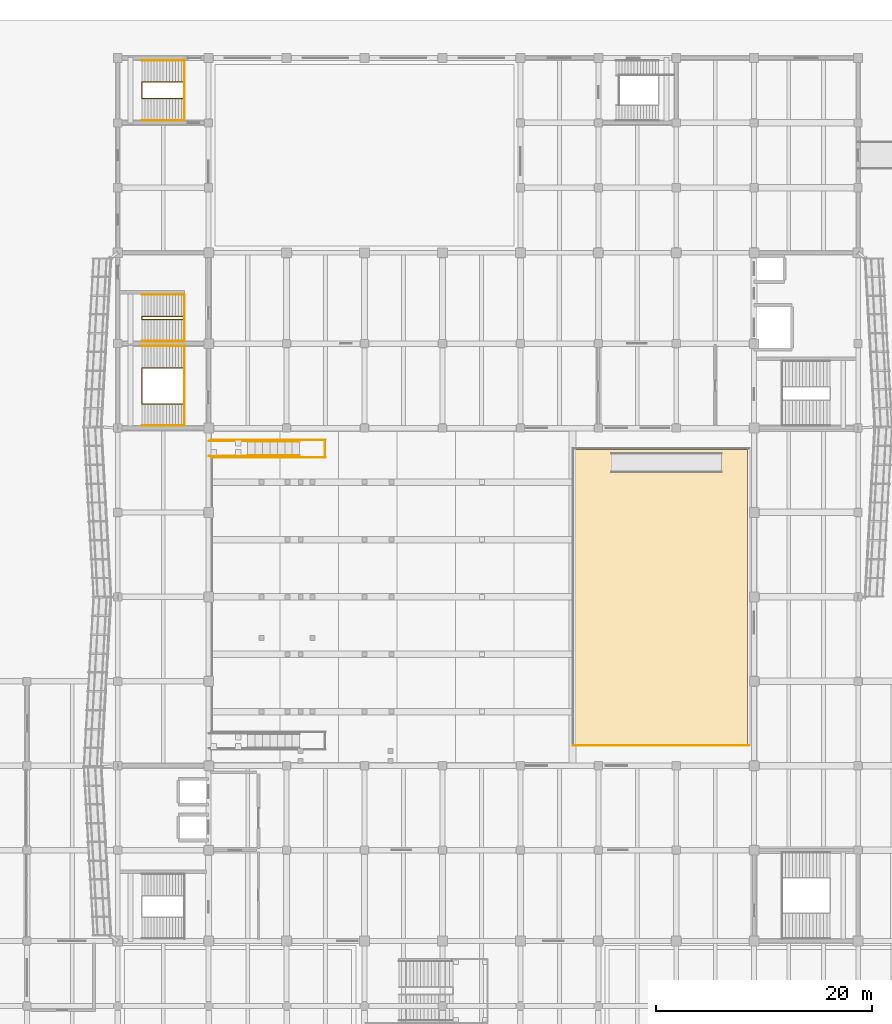
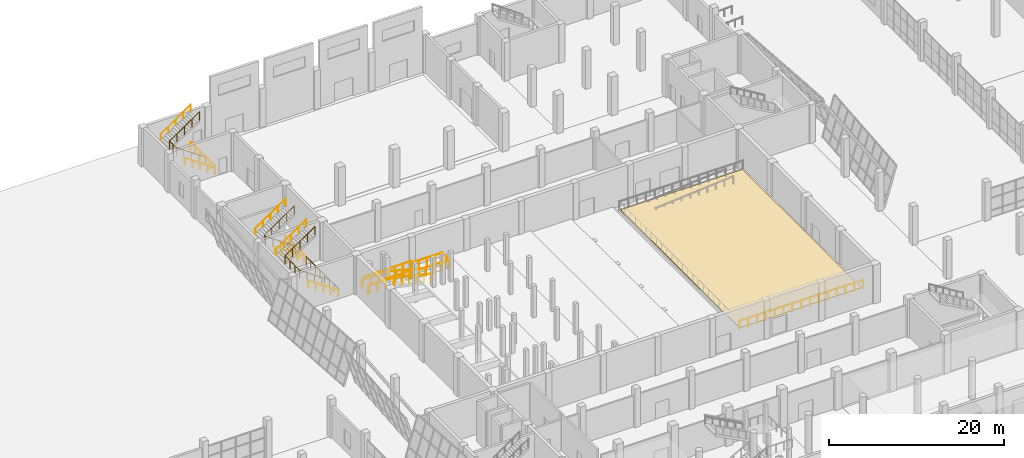
# One storey, part 75 of 78: 20 railings, 1 covering.
"""IFC4 building model written with IfcOpenShell, lengths in metres."""

from ifc_helpers import new_model, si_unit, direction, frame, origin, origin_2d, place, context, subcontext, project, spatial, polyline, circle, outline, extrude, material, layer, layer_set, type_object, element, save


model = new_model("IFC4")

# Units and contexts
model_context = context("Model", 3, precision=1e-05, world=origin(), true_north=direction((0.0, 1.0)))
body_context = subcontext(model_context, "Body", "Model", "MODEL_VIEW")
ifc_project = project(units=[si_unit("LENGTHUNIT", "METRE"), si_unit("AREAUNIT", "SQUARE_METRE"), si_unit("VOLUMEUNIT", "CUBIC_METRE"), si_unit("PLANEANGLEUNIT", "RADIAN"), si_unit("MASSUNIT", "GRAM", prefix="KILO")], contexts=[model_context])

# Site, building, storey
site_placement = place(None, origin())
site = spatial("IfcSite", under=ifc_project, at=site_placement, CompositionType="ELEMENT")
building_placement = place(site_placement, origin())
building = spatial("IfcBuilding", under=site, at=building_placement, Name="Pellamere Symphony Hall", CompositionType="ELEMENT")
storey_placement = place(building_placement, origin())
storey = spatial("IfcBuildingStorey", under=building, at=storey_placement, Name="L00", CompositionType="ELEMENT", Elevation=0.0)

# Railings
ifc_material_1 = material(Name="Architectural Bronze-Anodised Aluminium Balustrade", Category="aluminium")
railing_type_1 = type_object("IfcRailingType", Name="Balustrade BL-02 H1150 Architectural", PredefinedType="BALUSTRADE", material=ifc_material_1)
railing_1_placement = place(storey_placement, frame((92.449951171875, 48.080078125, 0.85009765625)))
element("IfcRailing", 1, at=railing_1_placement, inside=storey, type_object=railing_type_1, Name="Stage Platform S Edge Balustrade", PredefinedType="BALUSTRADE", context=body_context, shape_type="SweptSolid", body=[
    extrude(circle(Radius=0.02392578125, at=origin_2d()), frame((0.0, 0.0, 1.1259765625), z_axis=(1.0, 0.0, 0.0), x_axis=(0.0, 1.0, 0.0)), (0.0, 0.0, 1.0), 16.300048828125),
    extrude(circle(Radius=0.02099609375, at=origin_2d()), origin(), (0.0, 0.0, 1.0), 1.101806640625),
    extrude(circle(Radius=0.02099609375, at=origin_2d()), frame((1.164306640625, 0.0, 0.0)), (0.0, 0.0, 1.0), 1.101806640625),
    extrude(circle(Radius=0.02099609375, at=origin_2d()), frame((2.32861328125, 0.0, 0.0)), (0.0, 0.0, 1.0), 1.101806640625),
    extrude(circle(Radius=0.02099609375, at=origin_2d()), frame((3.492919921875, 0.0, 0.0)), (0.0, 0.0, 1.0), 1.101806640625),
    extrude(circle(Radius=0.02099609375, at=origin_2d()), frame((4.6572265625, 0.0, 0.0)), (0.0, 0.0, 1.0), 1.101806640625),
    extrude(circle(Radius=0.02099609375, at=origin_2d()), frame((5.821533203125, 0.0, 0.0)), (0.0, 0.0, 1.0), 1.101806640625),
    extrude(circle(Radius=0.02099609375, at=origin_2d()), frame((6.98583984375, 0.0, 0.0)), (0.0, 0.0, 1.0), 1.101806640625),
    extrude(circle(Radius=0.02099609375, at=origin_2d()), frame((8.14990234375, 0.0, 0.0)), (0.0, 0.0, 1.0), 1.101806640625),
    extrude(circle(Radius=0.02099609375, at=origin_2d()), frame((9.314208984375, 0.0, 0.0)), (0.0, 0.0, 1.0), 1.101806640625),
    extrude(circle(Radius=0.02099609375, at=origin_2d()), frame((10.478515625, 0.0, 0.0)), (0.0, 0.0, 1.0), 1.101806640625),
    extrude(circle(Radius=0.02099609375, at=origin_2d()), frame((11.642822265625, 0.0, 0.0)), (0.0, 0.0, 1.0), 1.101806640625),
    extrude(circle(Radius=0.02099609375, at=origin_2d()), frame((12.80712890625, 0.0, 0.0)), (0.0, 0.0, 1.0), 1.101806640625),
    extrude(circle(Radius=0.02099609375, at=origin_2d()), frame((13.971435546875, 0.0, 0.0)), (0.0, 0.0, 1.0), 1.101806640625),
    extrude(circle(Radius=0.02099609375, at=origin_2d()), frame((15.1357421875, 0.0, 0.0)), (0.0, 0.0, 1.0), 1.101806640625),
    extrude(circle(Radius=0.02099609375, at=origin_2d()), frame((16.300048828125, 0.0, 0.0)), (0.0, 0.0, 1.0), 1.101806640625),
])
ifc_material_2 = material(Name="Painted Steel CSA G40.21 350W", Category="steel")
railing_type_2 = type_object("IfcRailingType", Name="Guardrail GR-02 H1150 Painted", PredefinedType="GUARDRAIL", material=ifc_material_2)
railing_2_placement = place(storey_placement, frame((56.574951171875, 79.639892578125, 0.0)))
element("IfcRailing", 2, at=railing_2_placement, inside=storey, type_object=railing_type_2, Name="Stair ST07-L00 Continuous Well Guardrail (L00)", PredefinedType="GUARDRAIL", context=body_context, shape_type="SweptSolid", body=[
    extrude(circle(Radius=0.02392578125, at=origin_2d()), frame((0.0, 0.0, 1.1259765625), z_axis=(-0.825565005729, 0.0, 0.564307027527), x_axis=(0.0, -1.0, 0.0)), (0.0, 0.0, 1.0), 4.784423828125),
    extrude(circle(Radius=0.02392578125, at=origin_2d()), frame((-3.949951171875, 0.0, 3.82568359375), z_axis=(0.0, 1.0, 0.0), x_axis=(-1.0, 0.0, 0.0)), (0.0, 0.0, 1.0), 3.320068359375),
    extrude(circle(Radius=0.02392578125, at=origin_2d()), frame((-3.949951171875, 3.320068359375, 3.82568359375), z_axis=(0.825565005729, 0.0, 0.564307027527), x_axis=(0.0, 1.0, 0.0)), (0.0, 0.0, 1.0), 4.784423828125),
    extrude(circle(Radius=0.02099609375, at=origin_2d()), origin(), (0.0, 0.0, 1.0), 1.101806640625),
    extrude(circle(Radius=0.02099609375, at=origin_2d()), frame((-0.987548828125, 0.0, 0.675048828125)), (0.0, 0.0, 1.0), 1.101806640625),
    extrude(circle(Radius=0.02099609375, at=origin_2d()), frame((-1.97509765625, 0.0, 1.35009765625)), (0.0, 0.0, 1.0), 1.101806640625),
    extrude(circle(Radius=0.02099609375, at=origin_2d()), frame((-2.96240234375, 0.0, 2.02490234375)), (0.0, 0.0, 1.0), 1.101806640625),
    extrude(circle(Radius=0.02099609375, at=origin_2d()), frame((-3.949951171875, 0.0, 2.699951171875)), (0.0, 0.0, 1.0), 1.101806640625),
    extrude(circle(Radius=0.02099609375, at=origin_2d()), frame((-3.949951171875, 1.106689453125, 2.699951171875)), (0.0, 0.0, 1.0), 1.101806640625),
    extrude(circle(Radius=0.02099609375, at=origin_2d()), frame((-3.949951171875, 2.21337890625, 2.699951171875)), (0.0, 0.0, 1.0), 1.101806640625),
    extrude(circle(Radius=0.02099609375, at=origin_2d()), frame((-3.949951171875, 3.320068359375, 2.699951171875)), (0.0, 0.0, 1.0), 1.101806640625),
    extrude(circle(Radius=0.02099609375, at=origin_2d()), frame((-2.96240234375, 3.320068359375, 3.375)), (0.0, 0.0, 1.0), 1.101806640625),
    extrude(circle(Radius=0.02099609375, at=origin_2d()), frame((-1.97509765625, 3.320068359375, 4.0498046875)), (0.0, 0.0, 1.0), 1.101806640625),
    extrude(circle(Radius=0.02099609375, at=origin_2d()), frame((-0.987548828125, 3.320068359375, 4.724853515625)), (0.0, 0.0, 1.0), 1.101806640625),
    extrude(circle(Radius=0.02099609375, at=origin_2d()), frame((0.0, 3.320068359375, 5.39990234375)), (0.0, 0.0, 1.0), 1.101806640625),
])
railing_3_placement = place(storey_placement, frame((56.574951171875, 77.610107421875, 0.0)))
element("IfcRailing", 3, at=railing_3_placement, inside=storey, type_object=railing_type_2, Name="Stair ST07-L00 Landing Well Slot Guard (L00)", PredefinedType="GUARDRAIL", context=body_context, shape_type="SweptSolid", body=[
    extrude(circle(Radius=0.02392578125, at=origin_2d()), frame((0.0, 0.0, 1.1259765625), z_axis=(0.0, 1.0, 0.0), x_axis=(-1.0, 0.0, 0.0)), (0.0, 0.0, 1.0), 7.3798828125),
    extrude(circle(Radius=0.02099609375, at=origin_2d()), origin(), (0.0, 0.0, 1.0), 1.101806640625),
    extrude(circle(Radius=0.02099609375, at=origin_2d()), frame((0.0, 1.05419921875, 0.0)), (0.0, 0.0, 1.0), 1.101806640625),
    extrude(circle(Radius=0.02099609375, at=origin_2d()), frame((0.0, 2.108642578125, 0.0)), (0.0, 0.0, 1.0), 1.101806640625),
    extrude(circle(Radius=0.02099609375, at=origin_2d()), frame((0.0, 3.162841796875, 0.0)), (0.0, 0.0, 1.0), 1.101806640625),
    extrude(circle(Radius=0.02099609375, at=origin_2d()), frame((0.0, 4.217041015625, 0.0)), (0.0, 0.0, 1.0), 1.101806640625),
    extrude(circle(Radius=0.02099609375, at=origin_2d()), frame((0.0, 5.271240234375, 0.0)), (0.0, 0.0, 1.0), 1.101806640625),
    extrude(circle(Radius=0.02099609375, at=origin_2d()), frame((0.0, 6.32568359375, 0.0)), (0.0, 0.0, 1.0), 1.101806640625),
    extrude(circle(Radius=0.02099609375, at=origin_2d()), frame((0.0, 7.3798828125, 0.0)), (0.0, 0.0, 1.0), 1.101806640625),
])
railing_4_placement = place(storey_placement, frame((56.574951171875, 107.840087890625, 0.0)))
element("IfcRailing", 4, at=railing_4_placement, inside=storey, type_object=railing_type_2, Name="Stair ST10-L00 Continuous Well Guardrail (L00)", PredefinedType="GUARDRAIL", context=body_context, shape_type="SweptSolid", body=[
    extrude(circle(Radius=0.02392578125, at=origin_2d()), frame((0.0, 0.0, 1.1259765625), z_axis=(-0.825565005729, 0.0, 0.564307027527), x_axis=(0.0, -1.0, 0.0)), (0.0, 0.0, 1.0), 4.784423828125),
    extrude(circle(Radius=0.02392578125, at=origin_2d()), frame((-3.949951171875, 0.0, 3.82568359375), z_axis=(0.0, 1.0, 0.0), x_axis=(-1.0, 0.0, 0.0)), (0.0, 0.0, 1.0), 1.52001953125),
    extrude(circle(Radius=0.02392578125, at=origin_2d()), frame((-3.949951171875, 1.52001953125, 3.82568359375), z_axis=(0.825565005729, 0.0, 0.564307027527), x_axis=(0.0, 1.0, 0.0)), (0.0, 0.0, 1.0), 4.784423828125),
    extrude(circle(Radius=0.02099609375, at=origin_2d()), origin(), (0.0, 0.0, 1.0), 1.101806640625),
    extrude(circle(Radius=0.02099609375, at=origin_2d()), frame((-0.987548828125, 0.0, 0.675048828125)), (0.0, 0.0, 1.0), 1.101806640625),
    extrude(circle(Radius=0.02099609375, at=origin_2d()), frame((-1.97509765625, 0.0, 1.35009765625)), (0.0, 0.0, 1.0), 1.101806640625),
    extrude(circle(Radius=0.02099609375, at=origin_2d()), frame((-2.96240234375, 0.0, 2.02490234375)), (0.0, 0.0, 1.0), 1.101806640625),
    extrude(circle(Radius=0.02099609375, at=origin_2d()), frame((-3.949951171875, 0.0, 2.699951171875)), (0.0, 0.0, 1.0), 1.101806640625),
    extrude(circle(Radius=0.02099609375, at=origin_2d()), frame((-3.949951171875, 0.760009765625, 2.699951171875)), (0.0, 0.0, 1.0), 1.101806640625),
    extrude(circle(Radius=0.02099609375, at=origin_2d()), frame((-3.949951171875, 1.52001953125, 2.699951171875)), (0.0, 0.0, 1.0), 1.101806640625),
    extrude(circle(Radius=0.02099609375, at=origin_2d()), frame((-2.96240234375, 1.52001953125, 3.375)), (0.0, 0.0, 1.0), 1.101806640625),
    extrude(circle(Radius=0.02099609375, at=origin_2d()), frame((-1.97509765625, 1.52001953125, 4.0498046875)), (0.0, 0.0, 1.0), 1.101806640625),
    extrude(circle(Radius=0.02099609375, at=origin_2d()), frame((-0.987548828125, 1.52001953125, 4.724853515625)), (0.0, 0.0, 1.0), 1.101806640625),
    extrude(circle(Radius=0.02099609375, at=origin_2d()), frame((0.0, 1.52001953125, 5.39990234375)), (0.0, 0.0, 1.0), 1.101806640625),
])
railing_5_placement = place(storey_placement, frame((56.574951171875, 105.81005859375, 0.0)))
element("IfcRailing", 5, at=railing_5_placement, inside=storey, type_object=railing_type_2, Name="Stair ST10-L00 Landing Well Slot Guard (L00)", PredefinedType="GUARDRAIL", context=body_context, shape_type="SweptSolid", body=[
    extrude(circle(Radius=0.02392578125, at=origin_2d()), frame((0.0, 0.0, 1.1259765625), z_axis=(0.0, 1.0, 0.0), x_axis=(-1.0, 0.0, 0.0)), (0.0, 0.0, 1.0), 5.579833984375),
    extrude(circle(Radius=0.02099609375, at=origin_2d()), origin(), (0.0, 0.0, 1.0), 1.101806640625),
    extrude(circle(Radius=0.02099609375, at=origin_2d()), frame((0.0, 1.115966796875, 0.0)), (0.0, 0.0, 1.0), 1.101806640625),
    extrude(circle(Radius=0.02099609375, at=origin_2d()), frame((0.0, 2.23193359375, 0.0)), (0.0, 0.0, 1.0), 1.101806640625),
    extrude(circle(Radius=0.02099609375, at=origin_2d()), frame((0.0, 3.347900390625, 0.0)), (0.0, 0.0, 1.0), 1.101806640625),
    extrude(circle(Radius=0.02099609375, at=origin_2d()), frame((0.0, 4.4638671875, 0.0)), (0.0, 0.0, 1.0), 1.101806640625),
    extrude(circle(Radius=0.02099609375, at=origin_2d()), frame((0.0, 5.579833984375, 0.0)), (0.0, 0.0, 1.0), 1.101806640625),
])
railing_6_placement = place(storey_placement, frame((56.574951171875, 87.43994140625, 0.0)))
element("IfcRailing", 6, at=railing_6_placement, inside=storey, type_object=railing_type_2, Name="Stair ST13-L00 Continuous Well Guardrail (L00)", PredefinedType="GUARDRAIL", context=body_context, shape_type="SweptSolid", body=[
    extrude(circle(Radius=0.02392578125, at=origin_2d()), frame((0.0, 0.0, 1.1259765625), z_axis=(-0.825565005729, 0.0, 0.564307027527), x_axis=(0.0, -1.0, 0.0)), (0.0, 0.0, 1.0), 4.784423828125),
    extrude(circle(Radius=0.02392578125, at=origin_2d()), frame((-3.949951171875, 0.0, 3.82568359375), z_axis=(0.0, 1.0, 0.0), x_axis=(-1.0, 0.0, 0.0)), (0.0, 0.0, 1.0), 0.280029296875),
    extrude(circle(Radius=0.02392578125, at=origin_2d()), frame((-3.949951171875, 0.280029296875, 3.82568359375), z_axis=(0.825565005729, 0.0, 0.564307027527), x_axis=(0.0, 1.0, 0.0)), (0.0, 0.0, 1.0), 4.784423828125),
    extrude(circle(Radius=0.02099609375, at=origin_2d()), origin(), (0.0, 0.0, 1.0), 1.101806640625),
    extrude(circle(Radius=0.02099609375, at=origin_2d()), frame((-0.987548828125, 0.0, 0.675048828125)), (0.0, 0.0, 1.0), 1.101806640625),
    extrude(circle(Radius=0.02099609375, at=origin_2d()), frame((-1.97509765625, 0.0, 1.35009765625)), (0.0, 0.0, 1.0), 1.101806640625),
    extrude(circle(Radius=0.02099609375, at=origin_2d()), frame((-2.96240234375, 0.0, 2.02490234375)), (0.0, 0.0, 1.0), 1.101806640625),
    extrude(circle(Radius=0.02099609375, at=origin_2d()), frame((-3.949951171875, 0.0, 2.699951171875)), (0.0, 0.0, 1.0), 1.101806640625),
    extrude(circle(Radius=0.02099609375, at=origin_2d()), frame((-3.949951171875, 0.280029296875, 2.699951171875)), (0.0, 0.0, 1.0), 1.101806640625),
    extrude(circle(Radius=0.02099609375, at=origin_2d()), frame((-2.96240234375, 0.280029296875, 3.375)), (0.0, 0.0, 1.0), 1.101806640625),
    extrude(circle(Radius=0.02099609375, at=origin_2d()), frame((-1.97509765625, 0.280029296875, 4.0498046875)), (0.0, 0.0, 1.0), 1.101806640625),
    extrude(circle(Radius=0.02099609375, at=origin_2d()), frame((-0.987548828125, 0.280029296875, 4.724853515625)), (0.0, 0.0, 1.0), 1.101806640625),
    extrude(circle(Radius=0.02099609375, at=origin_2d()), frame((0.0, 0.280029296875, 5.39990234375)), (0.0, 0.0, 1.0), 1.101806640625),
])
railing_7_placement = place(storey_placement, frame((56.574951171875, 85.409912109375, 0.0)))
element("IfcRailing", 7, at=railing_7_placement, inside=storey, type_object=railing_type_2, Name="Stair ST13-L00 Landing Well Slot Guard (L00)", PredefinedType="GUARDRAIL", context=body_context, shape_type="SweptSolid", body=[
    extrude(circle(Radius=0.02392578125, at=origin_2d()), frame((0.0, 0.0, 1.1259765625), z_axis=(0.0, 1.0, 0.0), x_axis=(-1.0, 0.0, 0.0)), (0.0, 0.0, 1.0), 4.340087890625),
    extrude(circle(Radius=0.02099609375, at=origin_2d()), origin(), (0.0, 0.0, 1.0), 1.101806640625),
    extrude(circle(Radius=0.02099609375, at=origin_2d()), frame((0.0, 1.0849609375, 0.0)), (0.0, 0.0, 1.0), 1.101806640625),
    extrude(circle(Radius=0.02099609375, at=origin_2d()), frame((0.0, 2.169921875, 0.0)), (0.0, 0.0, 1.0), 1.101806640625),
    extrude(circle(Radius=0.02099609375, at=origin_2d()), frame((0.0, 3.255126953125, 0.0)), (0.0, 0.0, 1.0), 1.101806640625),
    extrude(circle(Radius=0.02099609375, at=origin_2d()), frame((0.0, 4.340087890625, 0.0)), (0.0, 0.0, 1.0), 1.101806640625),
])
railing_8_placement = place(storey_placement, frame((67.199951171875, 74.85009765625, 0.0)))
element("IfcRailing", 8, at=railing_8_placement, inside=storey, type_object=railing_type_2, Name="Vomitory VOM-02 South Guardrail", PredefinedType="GUARDRAIL", context=body_context, shape_type="SweptSolid", body=[
    extrude(circle(Radius=0.02392578125, at=origin_2d()), frame((0.0, 0.0, 1.1259765625), z_axis=(-0.967724859719, 0.0, 0.252009118649), x_axis=(0.0, -1.0, 0.0)), (0.0, 0.0, 1.0), 4.960205078125),
    extrude(circle(Radius=0.02392578125, at=origin_2d()), frame((-4.800048828125, 0.0, 2.3759765625), z_axis=(0.0, -1.0, 0.0), x_axis=(1.0, 0.0, 0.0)), (0.0, 0.0, 1.0), 0.050048828125),
    extrude(circle(Radius=0.02392578125, at=origin_2d()), frame((-4.800048828125, -0.050048828125, 2.3759765625), z_axis=(-1.0, 0.0, 0.0), x_axis=(0.0, -1.0, 0.0)), (0.0, 0.0, 1.0), 3.5498046875),
    extrude(circle(Radius=0.02099609375, at=origin_2d()), origin(), (0.0, 0.0, 1.0), 1.101806640625),
    extrude(circle(Radius=0.02099609375, at=origin_2d()), frame((-0.9599609375, 0.0, 0.25)), (0.0, 0.0, 1.0), 1.101806640625),
    extrude(circle(Radius=0.02099609375, at=origin_2d()), frame((-1.919921875, 0.0, 0.5)), (0.0, 0.0, 1.0), 1.101806640625),
    extrude(circle(Radius=0.02099609375, at=origin_2d()), frame((-2.880126953125, 0.0, 0.75)), (0.0, 0.0, 1.0), 1.101806640625),
    extrude(circle(Radius=0.02099609375, at=origin_2d()), frame((-3.840087890625, 0.0, 1.0)), (0.0, 0.0, 1.0), 1.101806640625),
    extrude(circle(Radius=0.02099609375, at=origin_2d()), frame((-4.800048828125, 0.0, 1.25)), (0.0, 0.0, 1.0), 1.101806640625),
    extrude(circle(Radius=0.02099609375, at=origin_2d()), frame((-4.800048828125, -0.050048828125, 1.25)), (0.0, 0.0, 1.0), 1.101806640625),
    extrude(circle(Radius=0.02099609375, at=origin_2d()), frame((-5.9833984375, -0.050048828125, 1.25)), (0.0, 0.0, 1.0), 1.101806640625),
    extrude(circle(Radius=0.02099609375, at=origin_2d()), frame((-7.16650390625, -0.050048828125, 1.25)), (0.0, 0.0, 1.0), 1.101806640625),
    extrude(circle(Radius=0.02099609375, at=origin_2d()), frame((-8.349853515625, -0.050048828125, 1.25)), (0.0, 0.0, 1.0), 1.101806640625),
])
railing_9_placement = place(storey_placement, frame((67.199951171875, 76.14990234375, 0.0)))
element("IfcRailing", 9, at=railing_9_placement, inside=storey, type_object=railing_type_2, Name="Vomitory VOM-02 North Guardrail", PredefinedType="GUARDRAIL", context=body_context, shape_type="SweptSolid", body=[
    extrude(circle(Radius=0.02392578125, at=origin_2d()), frame((0.0, 0.0, 1.1259765625), z_axis=(-0.967724859719, 0.0, 0.252009118649), x_axis=(0.0, -1.0, 0.0)), (0.0, 0.0, 1.0), 4.960205078125),
    extrude(circle(Radius=0.02392578125, at=origin_2d()), frame((-4.800048828125, 0.0, 2.3759765625), z_axis=(0.0, 1.0, 0.0), x_axis=(-1.0, 0.0, 0.0)), (0.0, 0.0, 1.0), 0.050048828125),
    extrude(circle(Radius=0.02392578125, at=origin_2d()), frame((-4.800048828125, 0.050048828125, 2.3759765625), z_axis=(-1.0, 0.0, 0.0), x_axis=(0.0, -1.0, 0.0)), (0.0, 0.0, 1.0), 3.5498046875),
    extrude(circle(Radius=0.02099609375, at=origin_2d()), origin(), (0.0, 0.0, 1.0), 1.101806640625),
    extrude(circle(Radius=0.02099609375, at=origin_2d()), frame((-0.9599609375, 0.0, 0.25)), (0.0, 0.0, 1.0), 1.101806640625),
    extrude(circle(Radius=0.02099609375, at=origin_2d()), frame((-1.919921875, 0.0, 0.5)), (0.0, 0.0, 1.0), 1.101806640625),
    extrude(circle(Radius=0.02099609375, at=origin_2d()), frame((-2.880126953125, 0.0, 0.75)), (0.0, 0.0, 1.0), 1.101806640625),
    extrude(circle(Radius=0.02099609375, at=origin_2d()), frame((-3.840087890625, 0.0, 1.0)), (0.0, 0.0, 1.0), 1.101806640625),
    extrude(circle(Radius=0.02099609375, at=origin_2d()), frame((-4.800048828125, 0.0, 1.25)), (0.0, 0.0, 1.0), 1.101806640625),
    extrude(circle(Radius=0.02099609375, at=origin_2d()), frame((-4.800048828125, 0.050048828125, 1.25)), (0.0, 0.0, 1.0), 1.101806640625),
    extrude(circle(Radius=0.02099609375, at=origin_2d()), frame((-5.9833984375, 0.050048828125, 1.25)), (0.0, 0.0, 1.0), 1.101806640625),
    extrude(circle(Radius=0.02099609375, at=origin_2d()), frame((-7.16650390625, 0.050048828125, 1.25)), (0.0, 0.0, 1.0), 1.101806640625),
    extrude(circle(Radius=0.02099609375, at=origin_2d()), frame((-8.349853515625, 0.050048828125, 1.25)), (0.0, 0.0, 1.0), 1.101806640625),
])
ifc_material_3 = material(Name="Laminated Safety Glass 21.5mm with Stainless Cap", Category="glass")
railing_type_3 = type_object("IfcRailingType", Name="Guardrail GR-03 H1180 Laminated", PredefinedType="GUARDRAIL", material=ifc_material_3)
railing_10_placement = place(storey_placement, frame((69.56005859375, 74.68994140625, 1.25)))
element("IfcRailing", 10, at=railing_10_placement, inside=storey, type_object=railing_type_3, Name="Vomitory Slot East Edge Balustrade VOM-02", PredefinedType="GUARDRAIL", context=body_context, shape_type="SweptSolid", body=[
    extrude(circle(Radius=0.02392578125, at=origin_2d()), frame((0.0, 0.0, 1.15576171875), z_axis=(0.0, 1.0, 0.0), x_axis=(-1.0, 0.0, 0.0)), (0.0, 0.0, 1.0), 1.6201171875),
    extrude(circle(Radius=0.02099609375, at=origin_2d()), origin(), (0.0, 0.0, 1.0), 1.1318359375),
    extrude(circle(Radius=0.02099609375, at=origin_2d()), frame((0.0, 0.81005859375, 0.0)), (0.0, 0.0, 1.0), 1.1318359375),
    extrude(circle(Radius=0.02099609375, at=origin_2d()), frame((0.0, 1.6201171875, 0.0)), (0.0, 0.0, 1.0), 1.1318359375),
])
railing_11_placement = place(storey_placement, frame((59.050048828125, 74.68994140625, 1.5)))
element("IfcRailing", 11, at=railing_11_placement, inside=storey, type_object=railing_type_3, Name="Vomitory Slot Bay 1 Balustrade VOM-02-1", PredefinedType="GUARDRAIL", context=body_context, shape_type="SweptSolid", body=[
    extrude(circle(Radius=0.02392578125, at=origin_2d()), frame((0.0, 0.0, 1.15576171875), z_axis=(1.0, 0.0, 0.0), x_axis=(0.0, 1.0, 0.0)), (0.0, 0.0, 1.0), 6.349853515625),
    extrude(circle(Radius=0.02099609375, at=origin_2d()), origin(), (0.0, 0.0, 1.0), 1.1318359375),
    extrude(circle(Radius=0.02099609375, at=origin_2d()), frame((1.058349609375, 0.0, 0.0)), (0.0, 0.0, 1.0), 1.1318359375),
    extrude(circle(Radius=0.02099609375, at=origin_2d()), frame((2.11669921875, 0.0, 0.0)), (0.0, 0.0, 1.0), 1.1318359375),
    extrude(circle(Radius=0.02099609375, at=origin_2d()), frame((3.1748046875, 0.0, 0.0)), (0.0, 0.0, 1.0), 1.1318359375),
    extrude(circle(Radius=0.02099609375, at=origin_2d()), frame((4.233154296875, 0.0, 0.0)), (0.0, 0.0, 1.0), 1.1318359375),
    extrude(circle(Radius=0.02099609375, at=origin_2d()), frame((5.29150390625, 0.0, 0.0)), (0.0, 0.0, 1.0), 1.1318359375),
    extrude(circle(Radius=0.02099609375, at=origin_2d()), frame((6.349853515625, 0.0, 0.0)), (0.0, 0.0, 1.0), 1.1318359375),
])
railing_12_placement = place(storey_placement, frame((65.39990234375, 74.68994140625, 1.25)))
element("IfcRailing", 12, at=railing_12_placement, inside=storey, type_object=railing_type_3, Name="Vomitory Slot Bay 2 Balustrade VOM-02-1", PredefinedType="GUARDRAIL", context=body_context, shape_type="SweptSolid", body=[
    extrude(circle(Radius=0.02392578125, at=origin_2d()), frame((0.0, 0.0, 1.15576171875), z_axis=(1.0, 0.0, 0.0), x_axis=(0.0, 1.0, 0.0)), (0.0, 0.0, 1.0), 4.18017578125),
    extrude(circle(Radius=0.02099609375, at=origin_2d()), origin(), (0.0, 0.0, 1.0), 1.1318359375),
    extrude(circle(Radius=0.02099609375, at=origin_2d()), frame((1.044921875, 0.0, 0.0)), (0.0, 0.0, 1.0), 1.1318359375),
    extrude(circle(Radius=0.02099609375, at=origin_2d()), frame((2.090087890625, 0.0, 0.0)), (0.0, 0.0, 1.0), 1.1318359375),
    extrude(circle(Radius=0.02099609375, at=origin_2d()), frame((3.13525390625, 0.0, 0.0)), (0.0, 0.0, 1.0), 1.1318359375),
    extrude(circle(Radius=0.02099609375, at=origin_2d()), frame((4.18017578125, 0.0, 0.0)), (0.0, 0.0, 1.0), 1.1318359375),
])
railing_13_placement = place(storey_placement, frame((59.050048828125, 76.31005859375, 1.5)))
element("IfcRailing", 13, at=railing_13_placement, inside=storey, type_object=railing_type_3, Name="Vomitory Slot Bay 1 Balustrade VOM-02-2", PredefinedType="GUARDRAIL", context=body_context, shape_type="SweptSolid", body=[
    extrude(circle(Radius=0.02392578125, at=origin_2d()), frame((0.0, 0.0, 1.15576171875), z_axis=(1.0, 0.0, 0.0), x_axis=(0.0, 1.0, 0.0)), (0.0, 0.0, 1.0), 6.349853515625),
    extrude(circle(Radius=0.02099609375, at=origin_2d()), origin(), (0.0, 0.0, 1.0), 1.1318359375),
    extrude(circle(Radius=0.02099609375, at=origin_2d()), frame((1.058349609375, 0.0, 0.0)), (0.0, 0.0, 1.0), 1.1318359375),
    extrude(circle(Radius=0.02099609375, at=origin_2d()), frame((2.11669921875, 0.0, 0.0)), (0.0, 0.0, 1.0), 1.1318359375),
    extrude(circle(Radius=0.02099609375, at=origin_2d()), frame((3.1748046875, 0.0, 0.0)), (0.0, 0.0, 1.0), 1.1318359375),
    extrude(circle(Radius=0.02099609375, at=origin_2d()), frame((4.233154296875, 0.0, 0.0)), (0.0, 0.0, 1.0), 1.1318359375),
    extrude(circle(Radius=0.02099609375, at=origin_2d()), frame((5.29150390625, 0.0, 0.0)), (0.0, 0.0, 1.0), 1.1318359375),
    extrude(circle(Radius=0.02099609375, at=origin_2d()), frame((6.349853515625, 0.0, 0.0)), (0.0, 0.0, 1.0), 1.1318359375),
])
railing_14_placement = place(storey_placement, frame((65.39990234375, 76.31005859375, 1.25)))
element("IfcRailing", 14, at=railing_14_placement, inside=storey, type_object=railing_type_3, Name="Vomitory Slot Bay 2 Balustrade VOM-02-2", PredefinedType="GUARDRAIL", context=body_context, shape_type="SweptSolid", body=[
    extrude(circle(Radius=0.02392578125, at=origin_2d()), frame((0.0, 0.0, 1.15576171875), z_axis=(1.0, 0.0, 0.0), x_axis=(0.0, 1.0, 0.0)), (0.0, 0.0, 1.0), 4.18017578125),
    extrude(circle(Radius=0.02099609375, at=origin_2d()), origin(), (0.0, 0.0, 1.0), 1.1318359375),
    extrude(circle(Radius=0.02099609375, at=origin_2d()), frame((1.044921875, 0.0, 0.0)), (0.0, 0.0, 1.0), 1.1318359375),
    extrude(circle(Radius=0.02099609375, at=origin_2d()), frame((2.090087890625, 0.0, 0.0)), (0.0, 0.0, 1.0), 1.1318359375),
    extrude(circle(Radius=0.02099609375, at=origin_2d()), frame((3.13525390625, 0.0, 0.0)), (0.0, 0.0, 1.0), 1.1318359375),
    extrude(circle(Radius=0.02099609375, at=origin_2d()), frame((4.18017578125, 0.0, 0.0)), (0.0, 0.0, 1.0), 1.1318359375),
])
ifc_material_4 = material(Name="Stainless Steel AISI 316", Category="steel")
railing_type_4 = type_object("IfcRailingType", Name="Handrail HR-01 H920 Stainless", PredefinedType="HANDRAIL", material=ifc_material_4)
railing_15_placement = place(storey_placement, frame((56.574951171875, 77.6201171875, 0.0)))
element("IfcRailing", 15, at=railing_15_placement, inside=storey, type_object=railing_type_4, Name="Stair ST07-L00 Lower Wall Handrail (L00)", PredefinedType="HANDRAIL", context=body_context, shape_type="SweptSolid", body=[
    extrude(circle(Radius=0.02392578125, at=origin_2d()), frame((0.0, 0.0, 0.89599609375), z_axis=(-0.825565005729, 0.0, 0.564307027527), x_axis=(0.0, -1.0, 0.0)), (0.0, 0.0, 1.0), 4.784423828125),
    extrude(circle(Radius=0.02099609375, at=origin_2d()), origin(), (0.0, 0.0, 1.0), 0.871826171875),
    extrude(circle(Radius=0.02099609375, at=origin_2d()), frame((-0.987548828125, 0.0, 0.675048828125)), (0.0, 0.0, 1.0), 0.871826171875),
    extrude(circle(Radius=0.02099609375, at=origin_2d()), frame((-1.97509765625, 0.0, 1.35009765625)), (0.0, 0.0, 1.0), 0.871826171875),
    extrude(circle(Radius=0.02099609375, at=origin_2d()), frame((-2.96240234375, 0.0, 2.02490234375)), (0.0, 0.0, 1.0), 0.871826171875),
    extrude(circle(Radius=0.02099609375, at=origin_2d()), frame((-3.949951171875, 0.0, 2.699951171875)), (0.0, 0.0, 1.0), 0.871826171875),
])
railing_16_placement = place(storey_placement, frame((52.625, 84.97998046875, 2.699951171875)))
element("IfcRailing", 16, at=railing_16_placement, inside=storey, type_object=railing_type_4, Name="Stair ST07-L00 Upper Wall Handrail (L00)", PredefinedType="HANDRAIL", context=body_context, shape_type="SweptSolid", body=[
    extrude(circle(Radius=0.02392578125, at=origin_2d()), frame((0.0, 0.0, 0.89599609375), z_axis=(0.825565005729, 0.0, 0.564307027527), x_axis=(0.0, 1.0, 0.0)), (0.0, 0.0, 1.0), 4.784423828125),
    extrude(circle(Radius=0.02099609375, at=origin_2d()), origin(), (0.0, 0.0, 1.0), 0.871826171875),
    extrude(circle(Radius=0.02099609375, at=origin_2d()), frame((0.987548828125, 0.0, 0.675048828125)), (0.0, 0.0, 1.0), 0.871826171875),
    extrude(circle(Radius=0.02099609375, at=origin_2d()), frame((1.97509765625, 0.0, 1.35009765625)), (0.0, 0.0, 1.0), 0.871826171875),
    extrude(circle(Radius=0.02099609375, at=origin_2d()), frame((2.96240234375, 0.0, 2.02490234375)), (0.0, 0.0, 1.0), 0.871826171875),
    extrude(circle(Radius=0.02099609375, at=origin_2d()), frame((3.949951171875, 0.0, 2.699951171875)), (0.0, 0.0, 1.0), 0.871826171875),
])
railing_17_placement = place(storey_placement, frame((56.574951171875, 105.820068359375, 0.0)))
element("IfcRailing", 17, at=railing_17_placement, inside=storey, type_object=railing_type_4, Name="Stair ST10-L00 Lower Wall Handrail (L00)", PredefinedType="HANDRAIL", context=body_context, shape_type="SweptSolid", body=[
    extrude(circle(Radius=0.02392578125, at=origin_2d()), frame((0.0, 0.0, 0.89599609375), z_axis=(-0.825565005729, 0.0, 0.564307027527), x_axis=(0.0, -1.0, 0.0)), (0.0, 0.0, 1.0), 4.784423828125),
    extrude(circle(Radius=0.02099609375, at=origin_2d()), origin(), (0.0, 0.0, 1.0), 0.871826171875),
    extrude(circle(Radius=0.02099609375, at=origin_2d()), frame((-0.987548828125, 0.0, 0.675048828125)), (0.0, 0.0, 1.0), 0.871826171875),
    extrude(circle(Radius=0.02099609375, at=origin_2d()), frame((-1.97509765625, 0.0, 1.35009765625)), (0.0, 0.0, 1.0), 0.871826171875),
    extrude(circle(Radius=0.02099609375, at=origin_2d()), frame((-2.96240234375, 0.0, 2.02490234375)), (0.0, 0.0, 1.0), 0.871826171875),
    extrude(circle(Radius=0.02099609375, at=origin_2d()), frame((-3.949951171875, 0.0, 2.699951171875)), (0.0, 0.0, 1.0), 0.871826171875),
])
railing_18_placement = place(storey_placement, frame((52.625, 111.3798828125, 2.699951171875)))
element("IfcRailing", 18, at=railing_18_placement, inside=storey, type_object=railing_type_4, Name="Stair ST10-L00 Upper Wall Handrail (L00)", PredefinedType="HANDRAIL", context=body_context, shape_type="SweptSolid", body=[
    extrude(circle(Radius=0.02392578125, at=origin_2d()), frame((0.0, 0.0, 0.89599609375), z_axis=(0.825565005729, 0.0, 0.564307027527), x_axis=(0.0, 1.0, 0.0)), (0.0, 0.0, 1.0), 4.784423828125),
    extrude(circle(Radius=0.02099609375, at=origin_2d()), origin(), (0.0, 0.0, 1.0), 0.871826171875),
    extrude(circle(Radius=0.02099609375, at=origin_2d()), frame((0.987548828125, 0.0, 0.675048828125)), (0.0, 0.0, 1.0), 0.871826171875),
    extrude(circle(Radius=0.02099609375, at=origin_2d()), frame((1.97509765625, 0.0, 1.35009765625)), (0.0, 0.0, 1.0), 0.871826171875),
    extrude(circle(Radius=0.02099609375, at=origin_2d()), frame((2.96240234375, 0.0, 2.02490234375)), (0.0, 0.0, 1.0), 0.871826171875),
    extrude(circle(Radius=0.02099609375, at=origin_2d()), frame((3.949951171875, 0.0, 2.699951171875)), (0.0, 0.0, 1.0), 0.871826171875),
])
railing_19_placement = place(storey_placement, frame((56.574951171875, 85.419921875, 0.0)))
element("IfcRailing", 19, at=railing_19_placement, inside=storey, type_object=railing_type_4, Name="Stair ST13-L00 Lower Wall Handrail (L00)", PredefinedType="HANDRAIL", context=body_context, shape_type="SweptSolid", body=[
    extrude(circle(Radius=0.02392578125, at=origin_2d()), frame((0.0, 0.0, 0.89599609375), z_axis=(-0.825565005729, 0.0, 0.564307027527), x_axis=(0.0, -1.0, 0.0)), (0.0, 0.0, 1.0), 4.784423828125),
    extrude(circle(Radius=0.02099609375, at=origin_2d()), origin(), (0.0, 0.0, 1.0), 0.871826171875),
    extrude(circle(Radius=0.02099609375, at=origin_2d()), frame((-0.987548828125, 0.0, 0.675048828125)), (0.0, 0.0, 1.0), 0.871826171875),
    extrude(circle(Radius=0.02099609375, at=origin_2d()), frame((-1.97509765625, 0.0, 1.35009765625)), (0.0, 0.0, 1.0), 0.871826171875),
    extrude(circle(Radius=0.02099609375, at=origin_2d()), frame((-2.96240234375, 0.0, 2.02490234375)), (0.0, 0.0, 1.0), 0.871826171875),
    extrude(circle(Radius=0.02099609375, at=origin_2d()), frame((-3.949951171875, 0.0, 2.699951171875)), (0.0, 0.0, 1.0), 0.871826171875),
])
railing_20_placement = place(storey_placement, frame((52.625, 89.739990234375, 2.699951171875)))
element("IfcRailing", 20, at=railing_20_placement, inside=storey, type_object=railing_type_4, Name="Stair ST13-L00 Upper Wall Handrail (L00)", PredefinedType="HANDRAIL", context=body_context, shape_type="SweptSolid", body=[
    extrude(circle(Radius=0.02392578125, at=origin_2d()), frame((0.0, 0.0, 0.89599609375), z_axis=(0.825565005729, 0.0, 0.564307027527), x_axis=(0.0, 1.0, 0.0)), (0.0, 0.0, 1.0), 4.784423828125),
    extrude(circle(Radius=0.02099609375, at=origin_2d()), origin(), (0.0, 0.0, 1.0), 0.871826171875),
    extrude(circle(Radius=0.02099609375, at=origin_2d()), frame((0.987548828125, 0.0, 0.675048828125)), (0.0, 0.0, 1.0), 0.871826171875),
    extrude(circle(Radius=0.02099609375, at=origin_2d()), frame((1.97509765625, 0.0, 1.35009765625)), (0.0, 0.0, 1.0), 0.871826171875),
    extrude(circle(Radius=0.02099609375, at=origin_2d()), frame((2.96240234375, 0.0, 2.02490234375)), (0.0, 0.0, 1.0), 0.871826171875),
    extrude(circle(Radius=0.02099609375, at=origin_2d()), frame((3.949951171875, 0.0, 2.699951171875)), (0.0, 0.0, 1.0), 0.871826171875),
])

# Covering
ifc_material_5 = material(Name="Quarter-Sawn Canadian Maple Sprung Stage Flooring", Category="wood")
ifc_layer = layer(ifc_material_5, 0.044921875, Name="Quarter-Sawn Canadian Maple Sprung Stage Flooring")
ifc_layer_set = layer_set([ifc_layer], Name="Quarter-Sawn Canadian Maple Sprung Stage Flooring")
covering_type = type_object("IfcCoveringType", Name="Interior Covering FL-01 45mm", PredefinedType="FLOORING", material=ifc_layer_set)
covering_placement = place(storey_placement, frame((0.0, 0.0, 0.85009765625)))
element("IfcCovering", 21, at=covering_placement, inside=storey, type_object=covering_type, Name="Main Hall Sprung Maple Orchestra Stage Floor", PredefinedType="FLOORING", context=body_context, shape_type="SweptSolid", body=[
    extrude(outline(polyline([(92.5, 48.199951171875), (108.60009765625, 48.199951171875), (108.60009765625, 75.39990234375), (92.5, 75.39990234375), (92.5, 48.199951171875)])), origin(), (0.0, 0.0, 1.0), 0.044921875),
])

save(model, "model.ifc")
